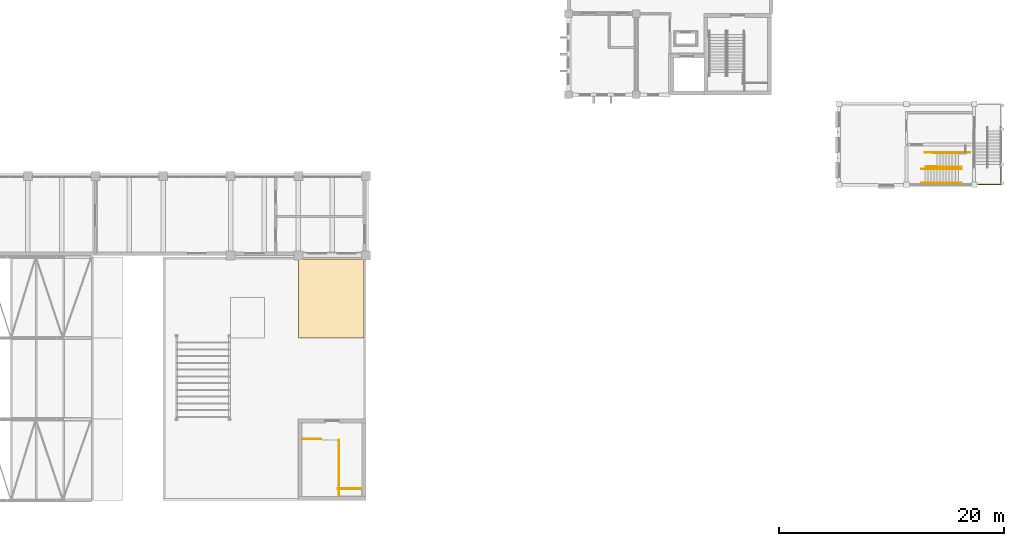
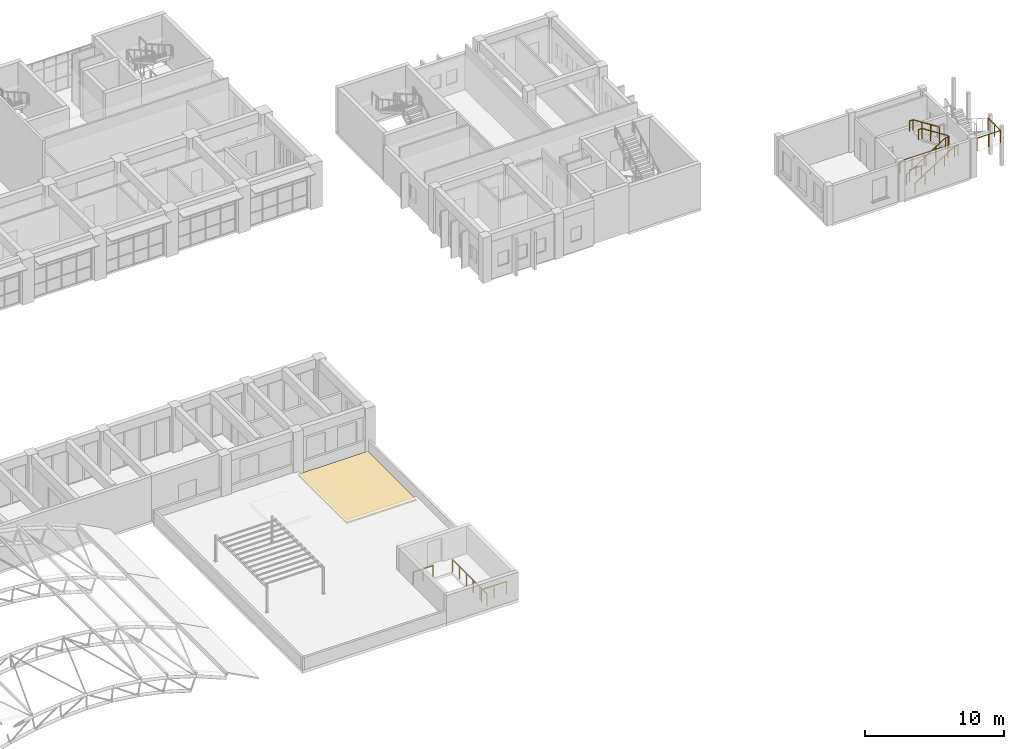
# One storey, part 86 of 92: 10 railings, 1 covering.
"""IFC4 building model written with IfcOpenShell, lengths in metres."""

from ifc_helpers import new_model, si_unit, direction, frame, origin, origin_2d, place, context, subcontext, project, spatial, polyline, circle, outline, extrude, material, layer, layer_set, type_object, element, save


model = new_model("IFC4")

# Units and contexts
model_context = context("Model", 3, precision=1e-05, world=origin(), true_north=direction((0.0, 1.0)))
body_context = subcontext(model_context, "Body", "Model", "MODEL_VIEW")
ifc_project = project(units=[si_unit("LENGTHUNIT", "METRE"), si_unit("AREAUNIT", "SQUARE_METRE"), si_unit("VOLUMEUNIT", "CUBIC_METRE"), si_unit("PLANEANGLEUNIT", "RADIAN"), si_unit("MASSUNIT", "GRAM", prefix="KILO")], contexts=[model_context])

# Site, building, storey
site_placement = place(None, origin())
site = spatial("IfcSite", under=ifc_project, at=site_placement, CompositionType="ELEMENT")
building_placement = place(site_placement, origin())
building = spatial("IfcBuilding", under=site, at=building_placement, Name="Laocheng Heights Fire and Rescue Headquarters", CompositionType="ELEMENT")
storey_placement = place(building_placement, frame((0.0, 0.0, 12.60009765625)))
storey = spatial("IfcBuildingStorey", under=building, at=storey_placement, Name="L03", CompositionType="ELEMENT", Elevation=12.60009765625)

# Covering
ifc_material_1 = material(Name="Bituminous membrane roofing with gravel ballast")
ifc_layer = layer(ifc_material_1, 0.1201171875)
ifc_layer_set = layer_set([ifc_layer], Name="Bituminous membrane roofing with gravel ballast")
covering_type = type_object("IfcCoveringType", Name="FLAT ROOF BUILD-UP 120", PredefinedType="ROOFING", material=ifc_layer_set)
covering_placement = place(storey_placement, origin())
element("IfcCovering", 1, at=covering_placement, inside=storey, type_object=covering_type, Name="Roof covering Flank E", PredefinedType="ROOFING", context=body_context, shape_type="SweptSolid", body=[
    extrude(outline(polyline([(71.820068359375, 21.419921875), (66.0, 21.419921875), (66.0, 14.39990234375), (71.820068359375, 14.39990234375), (71.820068359375, 21.419921875)])), origin(), (0.0, 0.0, 1.0), 0.119873046875),
])

# Railings
ifc_material_2 = material(Name="Steel Q355B", Category="steel")
railing_type_1 = type_object("IfcRailingType", Name="STAIR GUARD 1100", PredefinedType="GUARDRAIL", material=ifc_material_2)
railing_1_placement = place(storey_placement, frame((69.52490234375, 1.030029296875, 0.0)))
element("IfcRailing", 2, at=railing_1_placement, inside=storey, type_object=railing_type_1, Name="Stair E2 guard L03 tongue edge", PredefinedType="GUARDRAIL", context=body_context, shape_type="SweptSolid", body=[
    extrude(circle(Radius=0.02392578125, at=origin_2d()), frame((0.0, 0.0, 1.076171875), z_axis=(1.0, 0.0, 0.0), x_axis=(0.0, 1.0, 0.0)), (0.0, 0.0, 1.0), 2.0751953125),
    extrude(circle(Radius=0.02099609375, at=origin_2d()), origin(), (0.0, 0.0, 1.0), 1.052001953125),
    extrude(circle(Radius=0.02099609375, at=origin_2d()), frame((1.03759765625, 0.0, 0.0)), (0.0, 0.0, 1.0), 1.052001953125),
    extrude(circle(Radius=0.02099609375, at=origin_2d()), frame((2.0751953125, 0.0, 0.0)), (0.0, 0.0, 1.0), 1.052001953125),
])
railing_2_placement = place(storey_placement, frame((69.60498046875, 0.3701171875, 0.0)))
element("IfcRailing", 3, at=railing_2_placement, inside=storey, type_object=railing_type_1, Name="Stair E2 guard L03 strip edge", PredefinedType="GUARDRAIL", context=body_context, shape_type="SweptSolid", body=[
    extrude(circle(Radius=0.02392578125, at=origin_2d()), frame((0.0, 0.0, 1.076171875), z_axis=(0.0, 1.0, 0.0), x_axis=(-1.0, 0.0, 0.0)), (0.0, 0.0, 1.0), 4.97998046875),
    extrude(circle(Radius=0.02099609375, at=origin_2d()), origin(), (0.0, 0.0, 1.0), 1.052001953125),
    extrude(circle(Radius=0.02099609375, at=origin_2d()), frame((0.0, 0.99609375, 0.0)), (0.0, 0.0, 1.0), 1.052001953125),
    extrude(circle(Radius=0.02099609375, at=origin_2d()), frame((0.0, 1.991943359375, 0.0)), (0.0, 0.0, 1.0), 1.052001953125),
    extrude(circle(Radius=0.02099609375, at=origin_2d()), frame((0.0, 2.988037109375, 0.0)), (0.0, 0.0, 1.0), 1.052001953125),
    extrude(circle(Radius=0.02099609375, at=origin_2d()), frame((0.0, 3.98388671875, 0.0)), (0.0, 0.0, 1.0), 1.052001953125),
    extrude(circle(Radius=0.02099609375, at=origin_2d()), frame((0.0, 4.97998046875, 0.0)), (0.0, 0.0, 1.0), 1.052001953125),
])
railing_3_placement = place(storey_placement, frame((66.3701171875, 5.429931640625, 0.0)))
element("IfcRailing", 4, at=railing_3_placement, inside=storey, type_object=railing_type_1, Name="Stair E2 guard L03 flight opening", PredefinedType="GUARDRAIL", context=body_context, shape_type="SweptSolid", body=[
    extrude(circle(Radius=0.02392578125, at=origin_2d()), frame((0.0, 0.0, 1.076171875), z_axis=(1.0, 0.0, 0.0), x_axis=(0.0, 1.0, 0.0)), (0.0, 0.0, 1.0), 1.65478515625),
    extrude(circle(Radius=0.02099609375, at=origin_2d()), origin(), (0.0, 0.0, 1.0), 1.052001953125),
    extrude(circle(Radius=0.02099609375, at=origin_2d()), frame((0.827392578125, 0.0, 0.0)), (0.0, 0.0, 1.0), 1.052001953125),
    extrude(circle(Radius=0.02099609375, at=origin_2d()), frame((1.65478515625, 0.0, 0.0)), (0.0, 0.0, 1.0), 1.052001953125),
])
railing_4_placement = place(storey_placement, frame((122.705078125, 29.6298828125, 1.39990234375)))
element("IfcRailing", 5, at=railing_4_placement, inside=storey, type_object=railing_type_1, Name="Stair T1 guard F5 well edge", PredefinedType="GUARDRAIL", context=body_context, shape_type="SweptSolid", body=[
    extrude(circle(Radius=0.02392578125, at=origin_2d()), frame((0.0, 0.0, 1.076171875), z_axis=(-1.0, 0.0, 0.0), x_axis=(0.0, -1.0, 0.0)), (0.0, 0.0, 1.0), 0.988037109375),
    extrude(circle(Radius=0.02099609375, at=origin_2d()), origin(), (0.0, 0.0, 1.0), 1.052001953125),
    extrude(circle(Radius=0.02099609375, at=origin_2d()), frame((-0.988037109375, 0.0, 0.0)), (0.0, 0.0, 1.0), 1.052001953125),
])
railing_5_placement = place(storey_placement, frame((125.6298828125, 30.8798828125, 1.39990234375)))
element("IfcRailing", 6, at=railing_5_placement, inside=storey, type_object=railing_type_1, Name="Stair T1 guard F5 strip edge", PredefinedType="GUARDRAIL", context=body_context, shape_type="SweptSolid", body=[
    extrude(circle(Radius=0.02392578125, at=origin_2d()), frame((0.0, 0.0, 1.076171875), z_axis=(-1.0, 0.0, 0.0), x_axis=(0.0, -1.0, 0.0)), (0.0, 0.0, 1.0), 4.0048828125),
    extrude(circle(Radius=0.02099609375, at=origin_2d()), origin(), (0.0, 0.0, 1.0), 1.052001953125),
    extrude(circle(Radius=0.02099609375, at=origin_2d()), frame((-1.001220703125, 0.0, 0.0)), (0.0, 0.0, 1.0), 1.052001953125),
    extrude(circle(Radius=0.02099609375, at=origin_2d()), frame((-2.00244140625, 0.0, 0.0)), (0.0, 0.0, 1.0), 1.052001953125),
    extrude(circle(Radius=0.02099609375, at=origin_2d()), frame((-3.003662109375, 0.0, 0.0)), (0.0, 0.0, 1.0), 1.052001953125),
    extrude(circle(Radius=0.02099609375, at=origin_2d()), frame((-4.0048828125, 0.0, 0.0)), (0.0, 0.0, 1.0), 1.052001953125),
])
railing_6_placement = place(storey_placement, frame((128.3701171875, 29.830078125, 3.5)))
element("IfcRailing", 7, at=railing_6_placement, inside=storey, type_object=railing_type_1, Name="Stair T2 guard F5 half landing", PredefinedType="GUARDRAIL", context=body_context, shape_type="SweptSolid", body=[
    extrude(circle(Radius=0.02392578125, at=origin_2d()), frame((0.0, 0.0, 1.076171875), z_axis=(0.0, -1.0, 0.0), x_axis=(1.0, 0.0, 0.0)), (0.0, 0.0, 1.0), 1.800048828125),
    extrude(circle(Radius=0.02392578125, at=origin_2d()), frame((0.0, -1.800048828125, 1.076171875), z_axis=(-1.0, 0.0, 0.0), x_axis=(0.0, -1.0, 0.0)), (0.0, 0.0, 1.0), 1.97021484375),
    extrude(circle(Radius=0.02099609375, at=origin_2d()), origin(), (0.0, 0.0, 1.0), 1.052001953125),
    extrude(circle(Radius=0.02099609375, at=origin_2d()), frame((0.0, -0.89990234375, 0.0)), (0.0, 0.0, 1.0), 1.052001953125),
    extrude(circle(Radius=0.02099609375, at=origin_2d()), frame((0.0, -1.800048828125, 0.0)), (0.0, 0.0, 1.0), 1.052001953125),
    extrude(circle(Radius=0.02099609375, at=origin_2d()), frame((-0.985107421875, -1.800048828125, 0.0)), (0.0, 0.0, 1.0), 1.052001953125),
    extrude(circle(Radius=0.02099609375, at=origin_2d()), frame((-1.97021484375, -1.800048828125, 0.0)), (0.0, 0.0, 1.0), 1.052001953125),
])
ifc_material_3 = material(Name="Steel Q355B", Category="steel")
railing_type_2 = type_object("IfcRailingType", Name="STAIR HANDRAIL 920", PredefinedType="HANDRAIL", material=ifc_material_3)
for number, where, name in (
    (8, (121.324951171875, 28.169921875, 1.39990234375), "Stair T1 handrail F5 1"),
    (9, (121.324951171875, 29.429931640625, 1.39990234375), "Stair T1 handrail F5 2"),
):
    element("IfcRailing", number, at=place(storey_placement, frame(where)), inside=storey, type_object=railing_type_2, Name=name, PredefinedType="HANDRAIL", context=body_context, shape_type="SweptSolid", body=[
        extrude(circle(Radius=0.02392578125, at=origin_2d()), frame((0.0, 0.0, 0.89599609375), z_axis=(0.841419242076, 0.0, 0.540382881913), x_axis=(0.0, 1.0, 0.0)), (0.0, 0.0, 1.0), 3.88623046875),
        extrude(circle(Radius=0.02392578125, at=origin_2d()), frame((3.27001953125, 0.0, 2.99609375), z_axis=(1.0, 0.0, 0.0), x_axis=(0.0, 1.0, 0.0)), (0.0, 0.0, 1.0), 0.300048828125),
        extrude(circle(Radius=0.02099609375, at=origin_2d()), origin(), (0.0, 0.0, 1.0), 0.871826171875),
        extrude(circle(Radius=0.02099609375, at=origin_2d()), frame((0.8173828125, 0.0, 0.52490234375)), (0.0, 0.0, 1.0), 0.871826171875),
        extrude(circle(Radius=0.02099609375, at=origin_2d()), frame((1.635009765625, 0.0, 1.050048828125)), (0.0, 0.0, 1.0), 0.871826171875),
        extrude(circle(Radius=0.02099609375, at=origin_2d()), frame((2.45263671875, 0.0, 1.5751953125)), (0.0, 0.0, 1.0), 0.871826171875),
        extrude(circle(Radius=0.02099609375, at=origin_2d()), frame((3.27001953125, 0.0, 2.10009765625)), (0.0, 0.0, 1.0), 0.871826171875),
        extrude(circle(Radius=0.02099609375, at=origin_2d()), frame((3.570068359375, 0.0, 2.10009765625)), (0.0, 0.0, 1.0), 0.871826171875),
    ])
for number, where, name in (
    (10, (124.89501953125, 29.570068359375, 3.5), "Stair T1 handrail F5 3"),
    (11, (124.89501953125, 30.830078125, 3.5), "Stair T1 handrail F5 4"),
):
    element("IfcRailing", number, at=place(storey_placement, frame(where)), inside=storey, type_object=railing_type_2, Name=name, PredefinedType="HANDRAIL", context=body_context, shape_type="SweptSolid", body=[
        extrude(circle(Radius=0.02392578125, at=origin_2d()), frame((0.0, 0.0, 0.89599609375), z_axis=(-0.842561281479, 0.0, 0.538600489186), x_axis=(0.0, -1.0, 0.0)), (0.0, 0.0, 1.0), 2.59912109375),
        extrude(circle(Radius=0.02392578125, at=origin_2d()), frame((-2.18994140625, 0.0, 2.2958984375), z_axis=(-1.0, 0.0, 0.0), x_axis=(0.0, -1.0, 0.0)), (0.0, 0.0, 1.0), 0.300048828125),
        extrude(circle(Radius=0.02099609375, at=origin_2d()), origin(), (0.0, 0.0, 1.0), 0.871826171875),
        extrude(circle(Radius=0.02099609375, at=origin_2d()), frame((-0.72998046875, 0.0, 0.466552734375)), (0.0, 0.0, 1.0), 0.871826171875),
        extrude(circle(Radius=0.02099609375, at=origin_2d()), frame((-1.4599609375, 0.0, 0.933349609375)), (0.0, 0.0, 1.0), 0.871826171875),
        extrude(circle(Radius=0.02099609375, at=origin_2d()), frame((-2.18994140625, 0.0, 1.39990234375)), (0.0, 0.0, 1.0), 0.871826171875),
        extrude(circle(Radius=0.02099609375, at=origin_2d()), frame((-2.489990234375, 0.0, 1.39990234375)), (0.0, 0.0, 1.0), 0.871826171875),
    ])

save(model, "model.ifc")
